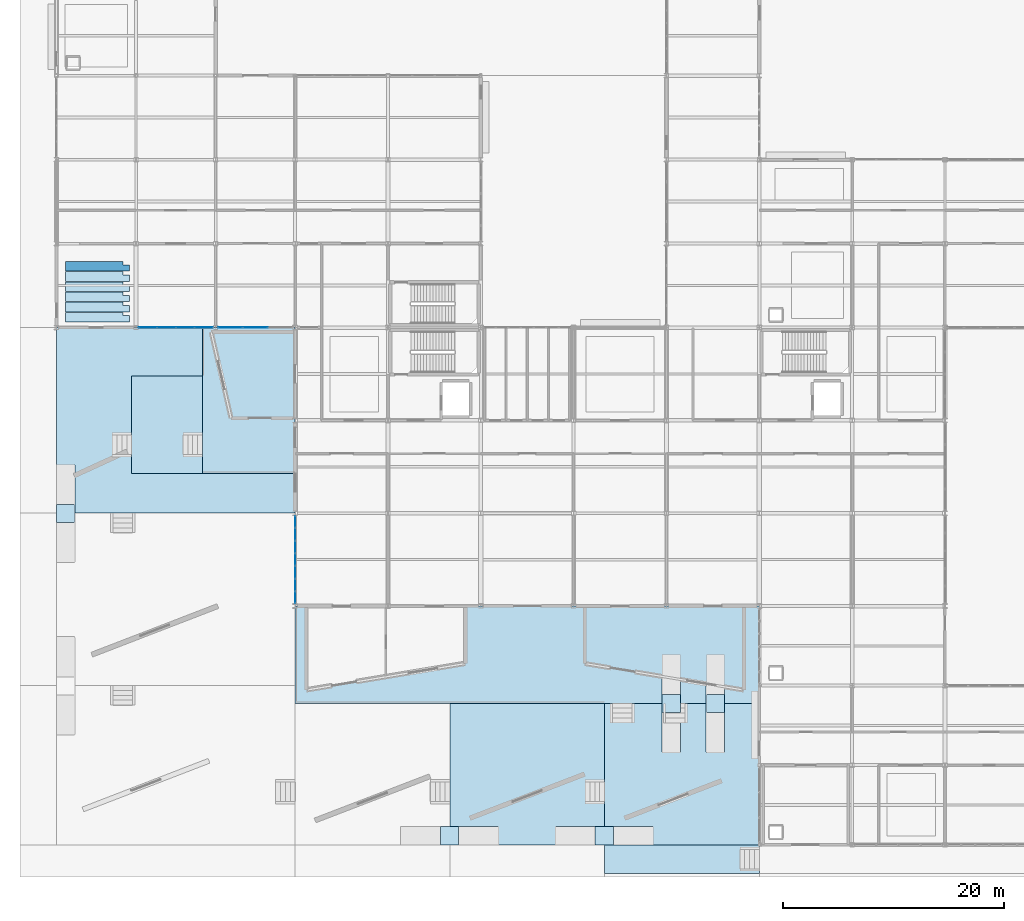
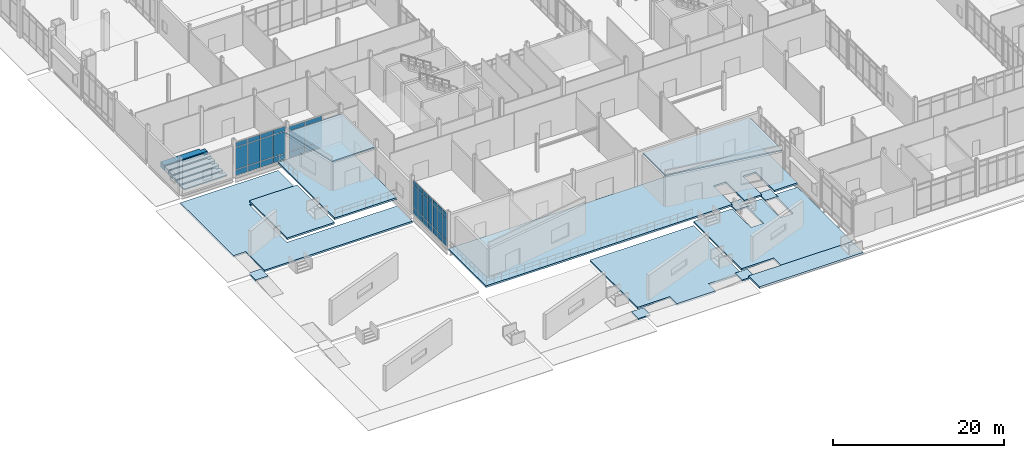
# One storey, part 138 of 229: 39 plates, 20 slabs, 8 elements without a shape of their own.
"""IFC4 building model written with IfcOpenShell, lengths in metres."""

from ifc_helpers import new_model, si_unit, direction, frame, origin, origin_2d, place, context, subcontext, project, spatial, polyline, rectangle, outline, extrude, material, layer, layer_set, type_object, element, aggregate, save


model = new_model("IFC4")

# Units and contexts
model_context = context("Model", 3, precision=1e-05, world=origin(), true_north=direction((0.0, 1.0)))
body_context = subcontext(model_context, "Body", "Model", "MODEL_VIEW")
ifc_project = project(units=[si_unit("LENGTHUNIT", "METRE"), si_unit("AREAUNIT", "SQUARE_METRE"), si_unit("VOLUMEUNIT", "CUBIC_METRE"), si_unit("PLANEANGLEUNIT", "RADIAN"), si_unit("MASSUNIT", "GRAM", prefix="KILO")], contexts=[model_context])

# Site, building, storey
site_placement = place(None, origin())
site = spatial("IfcSite", under=ifc_project, at=site_placement, CompositionType="ELEMENT")
building_placement = place(site_placement, origin())
building = spatial("IfcBuilding", under=site, at=building_placement, Name="Calvrana Isthmian Art Gallery", CompositionType="ELEMENT")
storey_placement = place(building_placement, origin())
storey = spatial("IfcBuildingStorey", under=building, at=storey_placement, Name="L00", CompositionType="ELEMENT", Elevation=0.0)

# Curtain wall, plates
ifc_material_1 = material(Name="Anodized bronze aluminium 6063-T6", Category="aluminium")
ifc_layer_1 = layer(ifc_material_1, 0.179931640625, Name="Anodized bronze aluminium 6063-T6")
ifc_layer_set_1 = layer_set([ifc_layer_1], Name="Anodized bronze aluminium 6063-T6")
curtain_wall_type_1 = type_object("IfcCurtainWallType", Name="CW-UNIT-068X48", PredefinedType="USERDEFINED", material=ifc_layer_set_1)
curtain_wall_1_placement = place(storey_placement, origin())
curtain_wall_1 = element("IfcCurtainWall", 1, at=curtain_wall_1_placement, inside=storey, type_object=curtain_wall_type_1, Name="Curtain wall CW-018", ObjectType="UNITISED CURTAIN WALL", PredefinedType="USERDEFINED")
ifc_material_2 = material(Name="Low-E laminated solar glass", Category="glass")
ifc_layer_2 = layer(ifc_material_2, 0.028076171875, Name="Low-E laminated solar glass")
ifc_layer_set_2 = layer_set([ifc_layer_2], Name="Low-E laminated solar glass")
plate_type = type_object("IfcPlateType", Name="CWP-VISION-28", PredefinedType="CURTAIN_PANEL", material=ifc_layer_set_2)
plate_1_placement = place(storey_placement, frame((13.345947265625, 46.800048828125, 0.070068359375), z_axis=(0.0, 0.0, 1.0), x_axis=(-1.0, 0.0, 0.0)))
plate_1 = element("IfcPlate", 2, at=plate_1_placement, type_object=plate_type, Name="CW-018 panel 1.1", PredefinedType="CURTAIN_PANEL", context=body_context, shape_type="SweptSolid", body=[
    extrude(rectangle(XDim=1.616943359375, YDim=0.028076171875, at=origin_2d()), origin(), (0.0, 0.0, 1.0), 0.794921875),
])
plate_2_placement = place(storey_placement, frame((13.345947265625, 46.800048828125, 0.93505859375), z_axis=(0.0, 0.0, 1.0), x_axis=(-1.0, 0.0, 0.0)))
plate_2 = element("IfcPlate", 3, at=plate_2_placement, type_object=plate_type, Name="CW-018 panel 1.2", PredefinedType="CURTAIN_PANEL", context=body_context, shape_type="SweptSolid", body=[
    extrude(rectangle(XDim=1.616943359375, YDim=0.028076171875, at=origin_2d()), origin(), (0.0, 0.0, 1.0), 3.115234375),
])
plate_3_placement = place(storey_placement, frame((13.345947265625, 46.800048828125, 4.1201171875), z_axis=(0.0, 0.0, 1.0), x_axis=(-1.0, 0.0, 0.0)))
plate_3 = element("IfcPlate", 4, at=plate_3_placement, type_object=plate_type, Name="CW-018 panel 1.3", PredefinedType="CURTAIN_PANEL", context=body_context, shape_type="SweptSolid", body=[
    extrude(rectangle(XDim=1.616943359375, YDim=0.028076171875, at=origin_2d()), origin(), (0.0, 0.0, 1.0), 0.64501953125),
])
plate_4_placement = place(storey_placement, frame((11.654052734375, 46.800048828125, 0.070068359375), z_axis=(0.0, 0.0, 1.0), x_axis=(-1.0, 0.0, 0.0)))
plate_4 = element("IfcPlate", 5, at=plate_4_placement, type_object=plate_type, Name="CW-018 panel 2.1", PredefinedType="CURTAIN_PANEL", context=body_context, shape_type="SweptSolid", body=[
    extrude(rectangle(XDim=1.64697265625, YDim=0.028076171875, at=origin_2d()), origin(), (0.0, 0.0, 1.0), 0.794921875),
])
plate_5_placement = place(storey_placement, frame((11.654052734375, 46.800048828125, 0.93505859375), z_axis=(0.0, 0.0, 1.0), x_axis=(-1.0, 0.0, 0.0)))
plate_5 = element("IfcPlate", 6, at=plate_5_placement, type_object=plate_type, Name="CW-018 panel 2.2", PredefinedType="CURTAIN_PANEL", context=body_context, shape_type="SweptSolid", body=[
    extrude(rectangle(XDim=1.64697265625, YDim=0.028076171875, at=origin_2d()), origin(), (0.0, 0.0, 1.0), 3.115234375),
])
plate_6_placement = place(storey_placement, frame((11.654052734375, 46.800048828125, 4.1201171875), z_axis=(0.0, 0.0, 1.0), x_axis=(-1.0, 0.0, 0.0)))
plate_6 = element("IfcPlate", 7, at=plate_6_placement, type_object=plate_type, Name="CW-018 panel 2.3", PredefinedType="CURTAIN_PANEL", context=body_context, shape_type="SweptSolid", body=[
    extrude(rectangle(XDim=1.64697265625, YDim=0.028076171875, at=origin_2d()), origin(), (0.0, 0.0, 1.0), 0.64501953125),
])
plate_7_placement = place(storey_placement, frame((9.947021484375, 46.800048828125, 0.070068359375), z_axis=(0.0, 0.0, 1.0), x_axis=(-1.0, 0.0, 0.0)))
plate_7 = element("IfcPlate", 8, at=plate_7_placement, type_object=plate_type, Name="CW-018 panel 3.1", PredefinedType="CURTAIN_PANEL", context=body_context, shape_type="SweptSolid", body=[
    extrude(rectangle(XDim=1.64697265625, YDim=0.028076171875, at=origin_2d()), origin(), (0.0, 0.0, 1.0), 0.794921875),
])
plate_8_placement = place(storey_placement, frame((9.947021484375, 46.800048828125, 0.93505859375), z_axis=(0.0, 0.0, 1.0), x_axis=(-1.0, 0.0, 0.0)))
plate_8 = element("IfcPlate", 9, at=plate_8_placement, type_object=plate_type, Name="CW-018 panel 3.2", PredefinedType="CURTAIN_PANEL", context=body_context, shape_type="SweptSolid", body=[
    extrude(rectangle(XDim=1.64697265625, YDim=0.028076171875, at=origin_2d()), origin(), (0.0, 0.0, 1.0), 3.115234375),
])
plate_9_placement = place(storey_placement, frame((9.947021484375, 46.800048828125, 4.1201171875), z_axis=(0.0, 0.0, 1.0), x_axis=(-1.0, 0.0, 0.0)))
plate_9 = element("IfcPlate", 10, at=plate_9_placement, type_object=plate_type, Name="CW-018 panel 3.3", PredefinedType="CURTAIN_PANEL", context=body_context, shape_type="SweptSolid", body=[
    extrude(rectangle(XDim=1.64697265625, YDim=0.028076171875, at=origin_2d()), origin(), (0.0, 0.0, 1.0), 0.64501953125),
])
plate_10_placement = place(storey_placement, frame((8.2548828125, 46.800048828125, 0.070068359375), z_axis=(0.0, 0.0, 1.0), x_axis=(-1.0, 0.0, 0.0)))
plate_10 = element("IfcPlate", 11, at=plate_10_placement, type_object=plate_type, Name="CW-018 panel 4.1", PredefinedType="CURTAIN_PANEL", context=body_context, shape_type="SweptSolid", body=[
    extrude(rectangle(XDim=1.616943359375, YDim=0.028076171875, at=origin_2d()), origin(), (0.0, 0.0, 1.0), 0.794921875),
])
plate_11_placement = place(storey_placement, frame((8.2548828125, 46.800048828125, 0.93505859375), z_axis=(0.0, 0.0, 1.0), x_axis=(-1.0, 0.0, 0.0)))
plate_11 = element("IfcPlate", 12, at=plate_11_placement, type_object=plate_type, Name="CW-018 panel 4.2", PredefinedType="CURTAIN_PANEL", context=body_context, shape_type="SweptSolid", body=[
    extrude(rectangle(XDim=1.616943359375, YDim=0.028076171875, at=origin_2d()), origin(), (0.0, 0.0, 1.0), 3.115234375),
])
plate_12_placement = place(storey_placement, frame((8.2548828125, 46.800048828125, 4.1201171875), z_axis=(0.0, 0.0, 1.0), x_axis=(-1.0, 0.0, 0.0)))
plate_12 = element("IfcPlate", 13, at=plate_12_placement, type_object=plate_type, Name="CW-018 panel 4.3", PredefinedType="CURTAIN_PANEL", context=body_context, shape_type="SweptSolid", body=[
    extrude(rectangle(XDim=1.616943359375, YDim=0.028076171875, at=origin_2d()), origin(), (0.0, 0.0, 1.0), 0.64501953125),
])
aggregate(curtain_wall_1, [plate_1, plate_2, plate_3, plate_4, plate_5, plate_6, plate_7, plate_8, plate_9, plate_10, plate_11, plate_12])

ifc_layer_3 = layer(ifc_material_1, 0.179931640625, Name="Anodized bronze aluminium 6063-T6")
ifc_layer_set_3 = layer_set([ifc_layer_3], Name="Anodized bronze aluminium 6063-T6")
curtain_wall_type_2 = type_object("IfcCurtainWallType", Name="CW-UNIT-068X46", PredefinedType="USERDEFINED", material=ifc_layer_set_3)
curtain_wall_2_placement = place(storey_placement, origin())
curtain_wall_2 = element("IfcCurtainWall", 14, at=curtain_wall_2_placement, inside=storey, type_object=curtain_wall_type_2, Name="Curtain wall CW-019", ObjectType="UNITISED CURTAIN WALL", PredefinedType="USERDEFINED")
plate_13_placement = place(storey_placement, frame((17.992919921875, 46.800048828125, 0.074951171875), z_axis=(0.0, 0.0, 1.0), x_axis=(-1.0, 0.0, 0.0)))
plate_13 = element("IfcPlate", 15, at=plate_13_placement, type_object=plate_type, Name="CW-019 panel 2.1", PredefinedType="CURTAIN_PANEL", context=body_context, shape_type="SweptSolid", body=[
    extrude(rectangle(XDim=2.211669921875, YDim=0.028076171875, at=origin_2d()), origin(), (0.0, 0.0, 1.0), 0.78759765625),
])
plate_14_placement = place(storey_placement, frame((17.992919921875, 46.800048828125, 0.9375), z_axis=(0.0, 0.0, 1.0), x_axis=(-1.0, 0.0, 0.0)))
plate_14 = element("IfcPlate", 16, at=plate_14_placement, type_object=plate_type, Name="CW-019 panel 2.2", PredefinedType="CURTAIN_PANEL", context=body_context, shape_type="SweptSolid", body=[
    extrude(rectangle(XDim=2.211669921875, YDim=0.028076171875, at=origin_2d()), origin(), (0.0, 0.0, 1.0), 2.882080078125),
])
plate_15_placement = place(storey_placement, frame((17.992919921875, 46.800048828125, 3.89453125), z_axis=(0.0, 0.0, 1.0), x_axis=(-1.0, 0.0, 0.0)))
plate_15 = element("IfcPlate", 17, at=plate_15_placement, type_object=plate_type, Name="CW-019 panel 2.3", PredefinedType="CURTAIN_PANEL", context=body_context, shape_type="SweptSolid", body=[
    extrude(rectangle(XDim=2.211669921875, YDim=0.028076171875, at=origin_2d()), origin(), (0.0, 0.0, 1.0), 0.637451171875),
])
plate_16_placement = place(storey_placement, frame((15.736328125, 46.800048828125, 0.074951171875), z_axis=(0.0, 0.0, 1.0), x_axis=(-1.0, 0.0, 0.0)))
plate_16 = element("IfcPlate", 18, at=plate_16_placement, type_object=plate_type, Name="CW-019 panel 3.1", PredefinedType="CURTAIN_PANEL", context=body_context, shape_type="SweptSolid", body=[
    extrude(rectangle(XDim=2.181640625, YDim=0.028076171875, at=origin_2d()), origin(), (0.0, 0.0, 1.0), 0.78759765625),
])
plate_17_placement = place(storey_placement, frame((15.736328125, 46.800048828125, 0.9375), z_axis=(0.0, 0.0, 1.0), x_axis=(-1.0, 0.0, 0.0)))
plate_17 = element("IfcPlate", 19, at=plate_17_placement, type_object=plate_type, Name="CW-019 panel 3.2", PredefinedType="CURTAIN_PANEL", context=body_context, shape_type="SweptSolid", body=[
    extrude(rectangle(XDim=2.181640625, YDim=0.028076171875, at=origin_2d()), origin(), (0.0, 0.0, 1.0), 2.882080078125),
])
plate_18_placement = place(storey_placement, frame((15.736328125, 46.800048828125, 3.89453125), z_axis=(0.0, 0.0, 1.0), x_axis=(-1.0, 0.0, 0.0)))
plate_18 = element("IfcPlate", 20, at=plate_18_placement, type_object=plate_type, Name="CW-019 panel 3.3", PredefinedType="CURTAIN_PANEL", context=body_context, shape_type="SweptSolid", body=[
    extrude(rectangle(XDim=2.181640625, YDim=0.028076171875, at=origin_2d()), origin(), (0.0, 0.0, 1.0), 0.637451171875),
])
aggregate(curtain_wall_2, [plate_13, plate_14, plate_15, plate_16, plate_17, plate_18])

ifc_layer_4 = layer(ifc_material_1, 0.179931640625, Name="Anodized bronze aluminium 6063-T6")
ifc_layer_set_4 = layer_set([ifc_layer_4], Name="Anodized bronze aluminium 6063-T6")
curtain_wall_type_3 = type_object("IfcCurtainWallType", Name="CW-STICK-080X49", PredefinedType="NOTDEFINED", material=ifc_layer_set_4)
curtain_wall_3_placement = place(storey_placement, origin())
curtain_wall_3 = element("IfcCurtainWall", 21, at=curtain_wall_3_placement, inside=storey, type_object=curtain_wall_type_3, Name="Curtain wall CW-056", PredefinedType="NOTDEFINED")
plate_19_placement = place(storey_placement, frame((21.60009765625, 22.39111328125, 0.06005859375), z_axis=(0.0, 0.0, 1.0), x_axis=(0.0, 1.0, 0.0)))
plate_19 = element("IfcPlate", 22, at=plate_19_placement, type_object=plate_type, Name="CW-056 panel 1.1", PredefinedType="CURTAIN_PANEL", context=body_context, shape_type="SweptSolid", body=[
    extrude(rectangle(XDim=1.04638671875, YDim=0.028076171875, at=origin_2d()), origin(), (0.0, 0.0, 1.0), 0.81005859375),
])
plate_20_placement = place(storey_placement, frame((21.60009765625, 22.39111328125, 0.93017578125), z_axis=(0.0, 0.0, 1.0), x_axis=(0.0, 1.0, 0.0)))
plate_20 = element("IfcPlate", 23, at=plate_20_placement, type_object=plate_type, Name="CW-056 panel 1.2", PredefinedType="CURTAIN_PANEL", context=body_context, shape_type="SweptSolid", body=[
    extrude(rectangle(XDim=1.04638671875, YDim=0.028076171875, at=origin_2d()), origin(), (0.0, 0.0, 1.0), 3.172607421875),
])
plate_21_placement = place(storey_placement, frame((21.60009765625, 22.39111328125, 4.16259765625), z_axis=(0.0, 0.0, 1.0), x_axis=(0.0, 1.0, 0.0)))
plate_21 = element("IfcPlate", 24, at=plate_21_placement, type_object=plate_type, Name="CW-056 panel 1.3", PredefinedType="CURTAIN_PANEL", context=body_context, shape_type="SweptSolid", body=[
    extrude(rectangle(XDim=1.04638671875, YDim=0.028076171875, at=origin_2d()), origin(), (0.0, 0.0, 1.0), 0.659912109375),
])
plate_22_placement = place(storey_placement, frame((21.60009765625, 23.518798828125, 0.06005859375), z_axis=(0.0, 0.0, 1.0), x_axis=(0.0, 1.0, 0.0)))
plate_22 = element("IfcPlate", 25, at=plate_22_placement, type_object=plate_type, Name="CW-056 panel 2.1", PredefinedType="CURTAIN_PANEL", context=body_context, shape_type="SweptSolid", body=[
    extrude(rectangle(XDim=1.078857421875, YDim=0.028076171875, at=origin_2d()), origin(), (0.0, 0.0, 1.0), 0.81005859375),
])
plate_23_placement = place(storey_placement, frame((21.60009765625, 23.518798828125, 0.93017578125), z_axis=(0.0, 0.0, 1.0), x_axis=(0.0, 1.0, 0.0)))
plate_23 = element("IfcPlate", 26, at=plate_23_placement, type_object=plate_type, Name="CW-056 panel 2.2", PredefinedType="CURTAIN_PANEL", context=body_context, shape_type="SweptSolid", body=[
    extrude(rectangle(XDim=1.078857421875, YDim=0.028076171875, at=origin_2d()), origin(), (0.0, 0.0, 1.0), 3.172607421875),
])
plate_24_placement = place(storey_placement, frame((21.60009765625, 23.518798828125, 4.16259765625), z_axis=(0.0, 0.0, 1.0), x_axis=(0.0, 1.0, 0.0)))
plate_24 = element("IfcPlate", 27, at=plate_24_placement, type_object=plate_type, Name="CW-056 panel 2.3", PredefinedType="CURTAIN_PANEL", context=body_context, shape_type="SweptSolid", body=[
    extrude(rectangle(XDim=1.078857421875, YDim=0.028076171875, at=origin_2d()), origin(), (0.0, 0.0, 1.0), 0.659912109375),
])
plate_25_placement = place(storey_placement, frame((21.60009765625, 24.662353515625, 0.06005859375), z_axis=(0.0, 0.0, 1.0), x_axis=(0.0, 1.0, 0.0)))
plate_25 = element("IfcPlate", 28, at=plate_25_placement, type_object=plate_type, Name="CW-056 panel 3.1", PredefinedType="CURTAIN_PANEL", context=body_context, shape_type="SweptSolid", body=[
    extrude(rectangle(XDim=1.078857421875, YDim=0.028076171875, at=origin_2d()), origin(), (0.0, 0.0, 1.0), 0.81005859375),
])
plate_26_placement = place(storey_placement, frame((21.60009765625, 24.662353515625, 0.93017578125), z_axis=(0.0, 0.0, 1.0), x_axis=(0.0, 1.0, 0.0)))
plate_26 = element("IfcPlate", 29, at=plate_26_placement, type_object=plate_type, Name="CW-056 panel 3.2", PredefinedType="CURTAIN_PANEL", context=body_context, shape_type="SweptSolid", body=[
    extrude(rectangle(XDim=1.078857421875, YDim=0.028076171875, at=origin_2d()), origin(), (0.0, 0.0, 1.0), 3.172607421875),
])
plate_27_placement = place(storey_placement, frame((21.60009765625, 24.662353515625, 4.16259765625), z_axis=(0.0, 0.0, 1.0), x_axis=(0.0, 1.0, 0.0)))
plate_27 = element("IfcPlate", 30, at=plate_27_placement, type_object=plate_type, Name="CW-056 panel 3.3", PredefinedType="CURTAIN_PANEL", context=body_context, shape_type="SweptSolid", body=[
    extrude(rectangle(XDim=1.078857421875, YDim=0.028076171875, at=origin_2d()), origin(), (0.0, 0.0, 1.0), 0.659912109375),
])
plate_28_placement = place(storey_placement, frame((21.60009765625, 25.80615234375, 0.06005859375), z_axis=(0.0, 0.0, 1.0), x_axis=(0.0, 1.0, 0.0)))
plate_28 = element("IfcPlate", 31, at=plate_28_placement, type_object=plate_type, Name="CW-056 panel 4.1", PredefinedType="CURTAIN_PANEL", context=body_context, shape_type="SweptSolid", body=[
    extrude(rectangle(XDim=1.078857421875, YDim=0.028076171875, at=origin_2d()), origin(), (0.0, 0.0, 1.0), 0.81005859375),
])
plate_29_placement = place(storey_placement, frame((21.60009765625, 25.80615234375, 0.93017578125), z_axis=(0.0, 0.0, 1.0), x_axis=(0.0, 1.0, 0.0)))
plate_29 = element("IfcPlate", 32, at=plate_29_placement, type_object=plate_type, Name="CW-056 panel 4.2", PredefinedType="CURTAIN_PANEL", context=body_context, shape_type="SweptSolid", body=[
    extrude(rectangle(XDim=1.078857421875, YDim=0.028076171875, at=origin_2d()), origin(), (0.0, 0.0, 1.0), 3.172607421875),
])
plate_30_placement = place(storey_placement, frame((21.60009765625, 25.80615234375, 4.16259765625), z_axis=(0.0, 0.0, 1.0), x_axis=(0.0, 1.0, 0.0)))
plate_30 = element("IfcPlate", 33, at=plate_30_placement, type_object=plate_type, Name="CW-056 panel 4.3", PredefinedType="CURTAIN_PANEL", context=body_context, shape_type="SweptSolid", body=[
    extrude(rectangle(XDim=1.078857421875, YDim=0.028076171875, at=origin_2d()), origin(), (0.0, 0.0, 1.0), 0.659912109375),
])
plate_31_placement = place(storey_placement, frame((21.60009765625, 26.949951171875, 0.06005859375), z_axis=(0.0, 0.0, 1.0), x_axis=(0.0, 1.0, 0.0)))
plate_31 = element("IfcPlate", 34, at=plate_31_placement, type_object=plate_type, Name="CW-056 panel 5.1", PredefinedType="CURTAIN_PANEL", context=body_context, shape_type="SweptSolid", body=[
    extrude(rectangle(XDim=1.078857421875, YDim=0.028076171875, at=origin_2d()), origin(), (0.0, 0.0, 1.0), 0.81005859375),
])
plate_32_placement = place(storey_placement, frame((21.60009765625, 26.949951171875, 0.93017578125), z_axis=(0.0, 0.0, 1.0), x_axis=(0.0, 1.0, 0.0)))
plate_32 = element("IfcPlate", 35, at=plate_32_placement, type_object=plate_type, Name="CW-056 panel 5.2", PredefinedType="CURTAIN_PANEL", context=body_context, shape_type="SweptSolid", body=[
    extrude(rectangle(XDim=1.078857421875, YDim=0.028076171875, at=origin_2d()), origin(), (0.0, 0.0, 1.0), 3.172607421875),
])
plate_33_placement = place(storey_placement, frame((21.60009765625, 26.949951171875, 4.16259765625), z_axis=(0.0, 0.0, 1.0), x_axis=(0.0, 1.0, 0.0)))
plate_33 = element("IfcPlate", 36, at=plate_33_placement, type_object=plate_type, Name="CW-056 panel 5.3", PredefinedType="CURTAIN_PANEL", context=body_context, shape_type="SweptSolid", body=[
    extrude(rectangle(XDim=1.078857421875, YDim=0.028076171875, at=origin_2d()), origin(), (0.0, 0.0, 1.0), 0.659912109375),
])
plate_34_placement = place(storey_placement, frame((21.60009765625, 28.09375, 0.06005859375), z_axis=(0.0, 0.0, 1.0), x_axis=(0.0, 1.0, 0.0)))
plate_34 = element("IfcPlate", 37, at=plate_34_placement, type_object=plate_type, Name="CW-056 panel 6.1", PredefinedType="CURTAIN_PANEL", context=body_context, shape_type="SweptSolid", body=[
    extrude(rectangle(XDim=1.078857421875, YDim=0.028076171875, at=origin_2d()), origin(), (0.0, 0.0, 1.0), 0.81005859375),
])
plate_35_placement = place(storey_placement, frame((21.60009765625, 28.09375, 0.93017578125), z_axis=(0.0, 0.0, 1.0), x_axis=(0.0, 1.0, 0.0)))
plate_35 = element("IfcPlate", 38, at=plate_35_placement, type_object=plate_type, Name="CW-056 panel 6.2", PredefinedType="CURTAIN_PANEL", context=body_context, shape_type="SweptSolid", body=[
    extrude(rectangle(XDim=1.078857421875, YDim=0.028076171875, at=origin_2d()), origin(), (0.0, 0.0, 1.0), 3.172607421875),
])
plate_36_placement = place(storey_placement, frame((21.60009765625, 28.09375, 4.16259765625), z_axis=(0.0, 0.0, 1.0), x_axis=(0.0, 1.0, 0.0)))
plate_36 = element("IfcPlate", 39, at=plate_36_placement, type_object=plate_type, Name="CW-056 panel 6.3", PredefinedType="CURTAIN_PANEL", context=body_context, shape_type="SweptSolid", body=[
    extrude(rectangle(XDim=1.078857421875, YDim=0.028076171875, at=origin_2d()), origin(), (0.0, 0.0, 1.0), 0.659912109375),
])
plate_37_placement = place(storey_placement, frame((21.60009765625, 29.221435546875, 0.06005859375), z_axis=(0.0, 0.0, 1.0), x_axis=(0.0, 1.0, 0.0)))
plate_37 = element("IfcPlate", 40, at=plate_37_placement, type_object=plate_type, Name="CW-056 panel 7.1", PredefinedType="CURTAIN_PANEL", context=body_context, shape_type="SweptSolid", body=[
    extrude(rectangle(XDim=1.04638671875, YDim=0.028076171875, at=origin_2d()), origin(), (0.0, 0.0, 1.0), 0.81005859375),
])
plate_38_placement = place(storey_placement, frame((21.60009765625, 29.221435546875, 0.93017578125), z_axis=(0.0, 0.0, 1.0), x_axis=(0.0, 1.0, 0.0)))
plate_38 = element("IfcPlate", 41, at=plate_38_placement, type_object=plate_type, Name="CW-056 panel 7.2", PredefinedType="CURTAIN_PANEL", context=body_context, shape_type="SweptSolid", body=[
    extrude(rectangle(XDim=1.04638671875, YDim=0.028076171875, at=origin_2d()), origin(), (0.0, 0.0, 1.0), 3.172607421875),
])
plate_39_placement = place(storey_placement, frame((21.60009765625, 29.221435546875, 4.16259765625), z_axis=(0.0, 0.0, 1.0), x_axis=(0.0, 1.0, 0.0)))
plate_39 = element("IfcPlate", 42, at=plate_39_placement, type_object=plate_type, Name="CW-056 panel 7.3", PredefinedType="CURTAIN_PANEL", context=body_context, shape_type="SweptSolid", body=[
    extrude(rectangle(XDim=1.04638671875, YDim=0.028076171875, at=origin_2d()), origin(), (0.0, 0.0, 1.0), 0.659912109375),
])
aggregate(curtain_wall_3, [plate_19, plate_20, plate_21, plate_22, plate_23, plate_24, plate_25, plate_26, plate_27, plate_28, plate_29, plate_30, plate_31, plate_32, plate_33, plate_34, plate_35, plate_36, plate_37, plate_38, plate_39])

# Slabs
ifc_material_3 = material(Name="Concrete C40/50", Category="concrete")
ifc_layer_5 = layer(ifc_material_3, 0.199951171875, Name="Concrete C40/50")
ifc_layer_set_5 = layer_set([ifc_layer_5], Name="Concrete C40/50")
slab_type_1 = type_object("IfcSlabType", Name="SLB-LAND-200", PredefinedType="LANDING", material=ifc_layer_set_5)
slab_1_placement = place(storey_placement, frame((0.0, 0.0, -0.85009765625)))
element("IfcSlab", 43, at=slab_1_placement, inside=storey, type_object=slab_type_1, Name="Stepped hillside sculpture court deck COURT_STEP_4W", PredefinedType="LANDING", context=body_context, shape_type="SweptSolid", body=[
    extrude(outline(polyline([(6.800048828125, 33.60009765625), (13.199951171875, 33.60009765625), (13.199951171875, 42.39990234375), (6.800048828125, 42.39990234375), (6.800048828125, 33.60009765625)])), origin(), (0.0, 0.0, 1.0), 0.25),
])
slab_2_placement = place(storey_placement, frame((0.0, 0.0, -0.85009765625)))
element("IfcSlab", 44, at=slab_2_placement, inside=storey, type_object=slab_type_1, Name="Courtyard and entry plaza deck SLB_APR_SW_BENCH", PredefinedType="LANDING", context=body_context, shape_type="SweptSolid", body=[
    extrude(outline(polyline([(63.60009765625, 0.0), (63.60009765625, -2.60009765625), (49.60009765625, -2.60009765625), (49.60009765625, -0.02001953125), (53.9599609375, -0.02001953125), (53.9599609375, 0.0), (63.60009765625, 0.0)])), origin(), (0.0, 0.0, 1.0), 0.25),
])

# Ramp, slab
ramp_type = type_object("IfcRampType", Name="RMP-SENADIS-165", PredefinedType="STRAIGHT_RUN_RAMP", material=ifc_material_3)
ramp_1_placement = place(storey_placement, origin())
ramp_1 = element("IfcRamp", 45, at=ramp_1_placement, inside=storey, type_object=ramp_type, Name="SENADIS universal access ramp RMP-02", PredefinedType="STRAIGHT_RUN_RAMP")
slab_3_placement = place(storey_placement, frame((0.0, 0.0, -1.699951171875)))
slab_3 = element("IfcSlab", 46, at=slab_3_placement, type_object=slab_type_1, Name="Ramp RMP-02 intermediate landing", PredefinedType="LANDING", context=body_context, shape_type="SweptSolid", body=[
    extrude(outline(polyline([(0.0, 29.14990234375), (1.64990234375, 29.14990234375), (1.64990234375, 30.800048828125), (0.0, 30.800048828125), (0.0, 29.14990234375)])), origin(), (0.0, 0.0, 1.0), 0.199951171875),
])
aggregate(ramp_1, [slab_3])

ramp_2_placement = place(storey_placement, origin())
ramp_2 = element("IfcRamp", 47, at=ramp_2_placement, inside=storey, type_object=ramp_type, Name="SENADIS universal access ramp RMP-03", PredefinedType="STRAIGHT_RUN_RAMP")
slab_4_placement = place(storey_placement, frame((0.0, 0.0, -1.699951171875)))
slab_4 = element("IfcSlab", 48, at=slab_4_placement, type_object=slab_type_1, Name="Ramp RMP-03 intermediate landing", PredefinedType="LANDING", context=body_context, shape_type="SweptSolid", body=[
    extrude(outline(polyline([(34.75, 0.0), (36.39990234375, 0.0), (36.39990234375, 1.64990234375), (34.75, 1.64990234375), (34.75, 0.0)])), origin(), (0.0, 0.0, 1.0), 0.199951171875),
])
aggregate(ramp_2, [slab_4])

ramp_3_placement = place(storey_placement, origin())
ramp_3 = element("IfcRamp", 49, at=ramp_3_placement, inside=storey, type_object=ramp_type, Name="SENADIS universal access ramp RMP-04", PredefinedType="STRAIGHT_RUN_RAMP")
slab_5_placement = place(storey_placement, frame((0.0, 0.0, -1.10009765625)))
slab_5 = element("IfcSlab", 50, at=slab_5_placement, type_object=slab_type_1, Name="Ramp RMP-04 intermediate landing", PredefinedType="LANDING", context=body_context, shape_type="SweptSolid", body=[
    extrude(outline(polyline([(48.75, 0.0), (50.39990234375, 0.0), (50.39990234375, 1.64990234375), (48.75, 1.64990234375), (48.75, 0.0)])), origin(), (0.0, 0.0, 1.0), 0.2001953125),
])
aggregate(ramp_3, [slab_5])

ramp_4_placement = place(storey_placement, origin())
ramp_4 = element("IfcRamp", 51, at=ramp_4_placement, inside=storey, type_object=ramp_type, Name="SENADIS universal access ramp RMP-05", PredefinedType="STRAIGHT_RUN_RAMP")
slab_6_placement = place(storey_placement, frame((0.0, 0.0, -0.5)))
slab_6 = element("IfcSlab", 52, at=slab_6_placement, type_object=slab_type_1, Name="Ramp RMP-05 intermediate landing", PredefinedType="LANDING", context=body_context, shape_type="SweptSolid", body=[
    extrude(outline(polyline([(58.800048828125, 11.949951171875), (60.449951171875, 11.949951171875), (60.449951171875, 13.60009765625), (58.800048828125, 13.60009765625), (58.800048828125, 11.949951171875)])), origin(), (0.0, 0.0, 1.0), 0.199951171875),
])
aggregate(ramp_4, [slab_6])

ramp_5_placement = place(storey_placement, origin())
ramp_5 = element("IfcRamp", 53, at=ramp_5_placement, inside=storey, type_object=ramp_type, Name="SENADIS universal access ramp RMP-06", PredefinedType="STRAIGHT_RUN_RAMP")
slab_7_placement = place(storey_placement, frame((0.0, 0.0, -0.5)))
slab_7 = element("IfcSlab", 54, at=slab_7_placement, type_object=slab_type_1, Name="Ramp RMP-06 intermediate landing", PredefinedType="LANDING", context=body_context, shape_type="SweptSolid", body=[
    extrude(outline(polyline([(54.800048828125, 11.949951171875), (56.449951171875, 11.949951171875), (56.449951171875, 13.60009765625), (54.800048828125, 13.60009765625), (54.800048828125, 11.949951171875)])), origin(), (0.0, 0.0, 1.0), 0.199951171875),
])
aggregate(ramp_5, [slab_7])

# Slabs
ifc_layer_6 = layer(ifc_material_3, 0.199951171875, Name="Concrete C40/50")
ifc_layer_set_6 = layer_set([ifc_layer_6], Name="Concrete C40/50")
slab_type_2 = type_object("IfcSlabType", Name="SLB-ROOF-200", PredefinedType="ROOF", material=ifc_layer_set_6)
slab_8_placement = place(storey_placement, frame((0.0, 0.0, 4.300048828125)))
element("IfcSlab", 55, at=slab_8_placement, inside=storey, type_object=slab_type_2, Name="Sunken base pavilion roof PAV_EDU_SE", PredefinedType="ROOF", context=body_context, shape_type="SweptSolid", body=[
    extrude(outline(polyline([(47.800048828125, 16.39990234375), (62.199951171875, 14.0), (62.199951171875, 21.60009765625), (47.800048828125, 21.60009765625), (47.800048828125, 16.39990234375)])), origin(), (0.0, 0.0, 1.0), 0.199951171875),
])
slab_9_placement = place(storey_placement, frame((0.0, 0.0, 4.0)))
element("IfcSlab", 56, at=slab_9_placement, inside=storey, type_object=slab_type_2, Name="Sunken base pavilion roof PAV_EDU_NW", PredefinedType="ROOF", context=body_context, shape_type="SweptSolid", body=[
    extrude(outline(polyline([(15.800048828125, 38.60009765625), (21.60009765625, 38.60009765625), (21.60009765625, 46.39990234375), (14.0, 46.39990234375), (15.800048828125, 38.60009765625)])), origin(), (0.0, 0.0, 1.0), 0.199951171875),
])
ifc_layer_7 = layer(ifc_material_3, 0.199951171875, Name="Concrete C40/50")
ifc_layer_set_7 = layer_set([ifc_layer_7], Name="Concrete C40/50")
slab_type_3 = type_object("IfcSlabType", Name="SLB-TER-200", PredefinedType="FLOOR", material=ifc_layer_set_7)
slab_10_placement = place(storey_placement, frame((0.0, 0.0, -1.449951171875)))
element("IfcSlab", 57, at=slab_10_placement, inside=storey, type_object=slab_type_3, Name="Stepped hillside sculpture court deck COURT_STEP_3W", PredefinedType="FLOOR", context=body_context, shape_type="SweptSolid", body=[
    extrude(outline(polyline([(0.0, 46.800048828125), (13.199951171875, 46.800048828125), (13.199951171875, 42.39990234375), (6.800048828125, 42.39990234375), (6.800048828125, 33.60009765625), (21.60009765625, 33.60009765625), (21.60009765625, 30.0), (1.669921875, 30.0), (1.669921875, 34.360107421875), (0.0, 34.360107421875), (0.0, 46.800048828125)])), origin(), (0.0, 0.0, 1.0), 0.25),
])
slab_11_placement = place(storey_placement, frame((0.0, 0.0, -1.449951171875)))
element("IfcSlab", 58, at=slab_11_placement, inside=storey, type_object=slab_type_3, Name="Stepped hillside sculpture court deck COURT_STEP_3S", PredefinedType="FLOOR", context=body_context, shape_type="SweptSolid", body=[
    extrude(outline(polyline([(49.60009765625, 12.800048828125), (49.60009765625, 1.669921875), (45.18994140625, 1.669921875), (45.18994140625, 0.0), (39.9599609375, 0.0), (39.9599609375, 1.669921875), (35.60009765625, 1.669921875), (35.60009765625, 12.800048828125), (49.60009765625, 12.800048828125)])), origin(), (0.0, 0.0, 1.0), 0.25),
])
slab_12_placement = place(storey_placement, frame((0.0, 0.0, -0.85009765625)))
element("IfcSlab", 59, at=slab_12_placement, inside=storey, type_object=slab_type_3, Name="Stepped hillside sculpture court deck COURT_STEP_4S", PredefinedType="FLOOR", context=body_context, shape_type="SweptSolid", body=[
    extrude(outline(polyline([(58.780029296875, 8.389892578125), (60.469970703125, 8.389892578125), (60.469970703125, 12.800048828125), (63.60009765625, 12.800048828125), (63.60009765625, 0.0), (53.9599609375, 0.0), (53.9599609375, 1.669921875), (49.60009765625, 1.669921875), (49.60009765625, 12.800048828125), (54.780029296875, 12.800048828125), (54.780029296875, 8.389892578125), (56.469970703125, 8.389892578125), (56.469970703125, 12.800048828125), (58.780029296875, 12.800048828125), (58.780029296875, 8.389892578125)])), origin(), (0.0, 0.0, 1.0), 0.25),
])
slab_13_placement = place(storey_placement, frame((0.0, 0.0, -0.25)))
element("IfcSlab", 60, at=slab_13_placement, inside=storey, type_object=slab_type_3, Name="Stepped hillside sculpture court deck COURT_STEP_5S", PredefinedType="FLOOR", context=body_context, shape_type="SweptSolid", body=[
    extrude(outline(polyline([(21.60009765625, 21.60009765625), (63.60009765625, 21.60009765625), (63.60009765625, 12.800048828125), (60.469970703125, 12.800048828125), (60.469970703125, 17.159912109375), (58.780029296875, 17.159912109375), (58.780029296875, 12.800048828125), (56.469970703125, 12.800048828125), (56.469970703125, 17.159912109375), (54.780029296875, 17.159912109375), (54.780029296875, 12.800048828125), (21.60009765625, 12.800048828125), (21.60009765625, 21.60009765625)])), origin(), (0.0, 0.0, 1.0), 0.25),
])
slab_14_placement = place(storey_placement, frame((0.0, 0.0, -0.25)))
element("IfcSlab", 61, at=slab_14_placement, inside=storey, type_object=slab_type_3, Name="Stepped hillside sculpture court deck COURT_STEP_5W", PredefinedType="FLOOR", context=body_context, shape_type="SweptSolid", body=[
    extrude(outline(polyline([(13.199951171875, 33.60009765625), (21.60009765625, 33.60009765625), (21.60009765625, 46.800048828125), (13.199951171875, 46.800048828125), (13.199951171875, 33.60009765625)])), origin(), (0.0, 0.0, 1.0), 0.25),
])
ifc_layer_8 = layer(ifc_material_3, 0.159912109375, Name="Concrete C40/50")
ifc_layer_set_8 = layer_set([ifc_layer_8], Name="Concrete C40/50")
slab_type_4 = type_object("IfcSlabType", Name="SLB-TIER-160", PredefinedType="USERDEFINED", material=ifc_layer_set_8)
slab_15_placement = place(storey_placement, origin())
element("IfcSlab", 62, at=slab_15_placement, inside=storey, type_object=slab_type_4, Name="Stand lower bowl tier 1", ObjectType="SEATING TIER", PredefinedType="USERDEFINED", context=body_context, shape_type="SweptSolid", body=[
    extrude(outline(polyline([(0.800048828125, 47.300048828125), (6.60009765625, 47.300048828125), (6.60009765625, 47.8798828125), (6.0, 47.8798828125), (6.0, 48.179931640625), (0.800048828125, 48.179931640625), (0.800048828125, 47.300048828125)])), origin(), (0.0, 0.0, 1.0), 0.159912109375),
])
slab_16_placement = place(storey_placement, origin())
element("IfcSlab", 63, at=slab_16_placement, inside=storey, type_object=slab_type_4, Name="Stand lower bowl tier 2", ObjectType="SEATING TIER", PredefinedType="USERDEFINED", context=body_context, shape_type="SweptSolid", body=[
    extrude(outline(polyline([(0.800048828125, 48.219970703125), (6.60009765625, 48.219970703125), (6.60009765625, 48.800048828125), (6.0, 48.800048828125), (6.0, 49.10009765625), (0.800048828125, 49.10009765625), (0.800048828125, 48.219970703125)])), origin(), (0.0, 0.0, 1.0), 0.280029296875),
])
slab_17_placement = place(storey_placement, origin())
element("IfcSlab", 64, at=slab_17_placement, inside=storey, type_object=slab_type_4, Name="Stand lower bowl tier 3", ObjectType="SEATING TIER", PredefinedType="USERDEFINED", context=body_context, shape_type="SweptSolid", body=[
    extrude(outline(polyline([(0.800048828125, 49.139892578125), (6.60009765625, 49.139892578125), (6.60009765625, 49.719970703125), (6.0, 49.719970703125), (6.0, 50.02001953125), (0.800048828125, 50.02001953125), (0.800048828125, 49.139892578125)])), origin(), (0.0, 0.0, 1.0), 0.39990234375),
])
slab_18_placement = place(storey_placement, origin())
element("IfcSlab", 65, at=slab_18_placement, inside=storey, type_object=slab_type_4, Name="Stand lower bowl tier 4", ObjectType="SEATING TIER", PredefinedType="USERDEFINED", context=body_context, shape_type="SweptSolid", body=[
    extrude(outline(polyline([(0.800048828125, 50.06005859375), (6.60009765625, 50.06005859375), (6.60009765625, 50.639892578125), (6.0, 50.639892578125), (6.0, 50.93994140625), (0.800048828125, 50.93994140625), (0.800048828125, 50.06005859375)])), origin(), (0.0, 0.0, 1.0), 0.52001953125),
])
slab_19_placement = place(storey_placement, origin())
element("IfcSlab", 66, at=slab_19_placement, inside=storey, type_object=slab_type_4, Name="Stand lower bowl tier 5", ObjectType="SEATING TIER", PredefinedType="USERDEFINED", context=body_context, shape_type="SweptSolid", body=[
    extrude(outline(polyline([(0.800048828125, 50.97998046875), (6.60009765625, 50.97998046875), (6.60009765625, 51.56005859375), (6.0, 51.56005859375), (6.0, 51.860107421875), (0.800048828125, 51.860107421875), (0.800048828125, 50.97998046875)])), origin(), (0.0, 0.0, 1.0), 0.639892578125),
])
slab_20_placement = place(storey_placement, origin())
element("IfcSlab", 67, at=slab_20_placement, inside=storey, type_object=slab_type_4, Name="Stand lower bowl tier 6", ObjectType="SEATING TIER", PredefinedType="USERDEFINED", context=body_context, shape_type="SweptSolid", body=[
    extrude(outline(polyline([(0.800048828125, 51.89990234375), (6.60009765625, 51.89990234375), (6.60009765625, 52.47998046875), (6.0, 52.47998046875), (6.0, 52.780029296875), (0.800048828125, 52.780029296875), (0.800048828125, 51.89990234375)])), origin(), (0.0, 0.0, 1.0), 0.760009765625),
])

save(model, "model.ifc")
